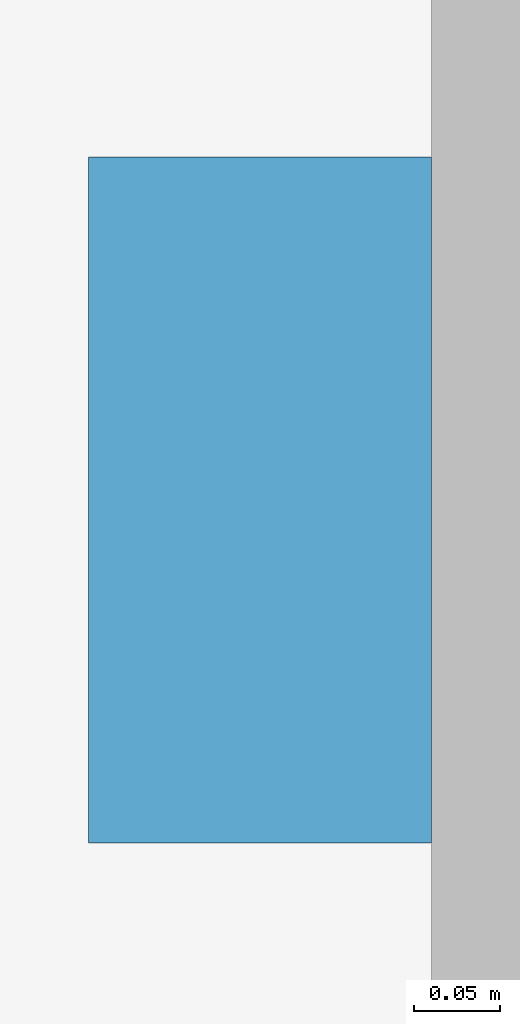
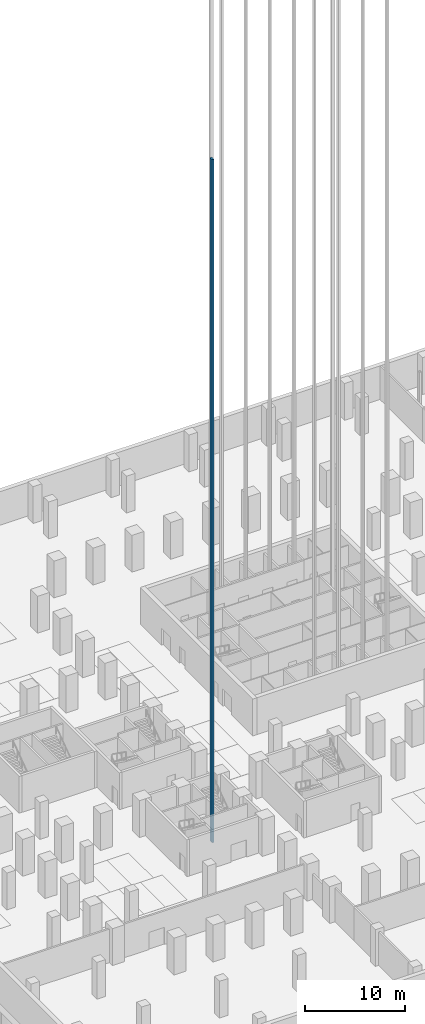
# One storey, part 22 of 37: 1 discrete accessory.
"""IFC4 building model written with IfcOpenShell, lengths in metres."""

from ifc_helpers import new_model, si_unit, direction, frame, origin, origin_2d, place, context, subcontext, project, spatial, rectangle, extrude, material, element, save


model = new_model("IFC4")

# Units and contexts
model_context = context("Model", 3, precision=1e-05, world=origin(), true_north=direction((0.0, 1.0)))
body_context = subcontext(model_context, "Body", "Model", "MODEL_VIEW")
ifc_project = project(units=[si_unit("LENGTHUNIT", "METRE"), si_unit("AREAUNIT", "SQUARE_METRE"), si_unit("VOLUMEUNIT", "CUBIC_METRE"), si_unit("PLANEANGLEUNIT", "RADIAN"), si_unit("MASSUNIT", "GRAM", prefix="KILO")], contexts=[model_context])

# Site, building, storey
site_placement = place(None, origin())
site = spatial("IfcSite", under=ifc_project, at=site_placement, CompositionType="ELEMENT")
building_placement = place(site_placement, origin())
building = spatial("IfcBuilding", under=site, at=building_placement, Name="Quoin Convention Tower", CompositionType="ELEMENT")
storey_placement = place(building_placement, frame((0.0, 0.0, -9.0)))
storey = spatial("IfcBuildingStorey", under=building, at=storey_placement, Name="B2", CompositionType="ELEMENT", Elevation=-9.0)

# Discrete accessory
ifc_material = material(Name="Galvanised steel", Category="steel")
discrete_accessory_placement = place(storey_placement, frame((32.5, 36.0, -0.35009765625), z_axis=(0.0, 0.0, 1.0), x_axis=(1.0, 0.0, 0.0)))
element("IfcDiscreteAccessory", 1, at=discrete_accessory_placement, inside=storey, material=ifc_material, Name="LIFT GUIDE RAILS GL1", ObjectType="Lift guide rails", PredefinedType="USERDEFINED", context=body_context, shape_type="SweptSolid", body=[
    extrude(rectangle(XDim=0.199951171875, YDim=0.39990234375, at=origin_2d()), origin(), (0.0, 0.0, 1.0), 83.5),
])

save(model, "model.ifc")
